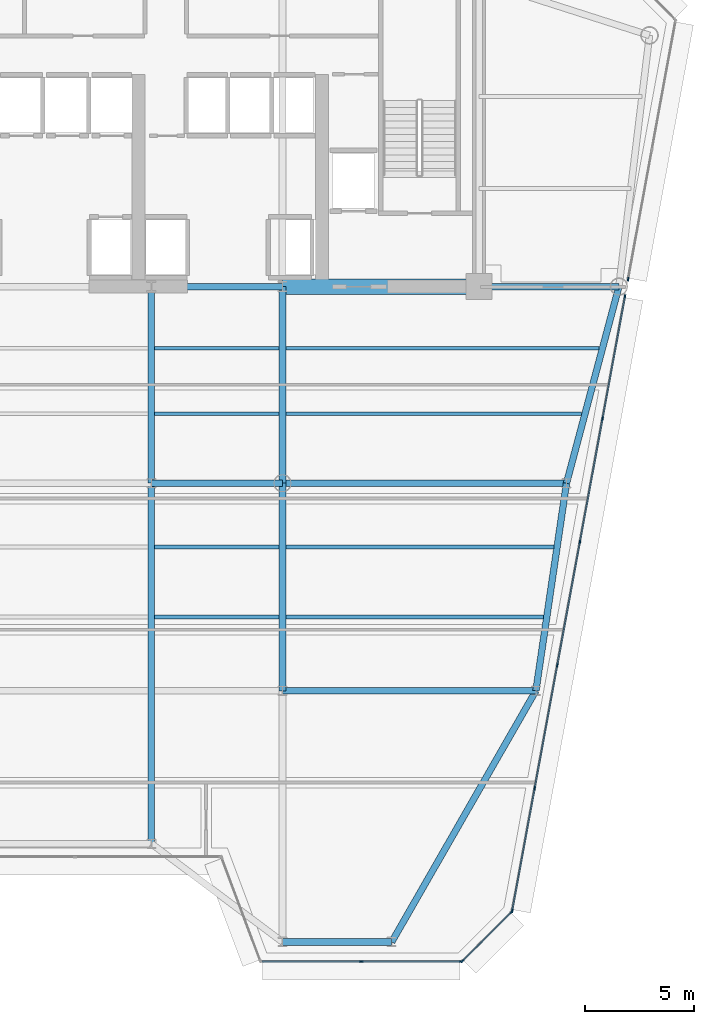
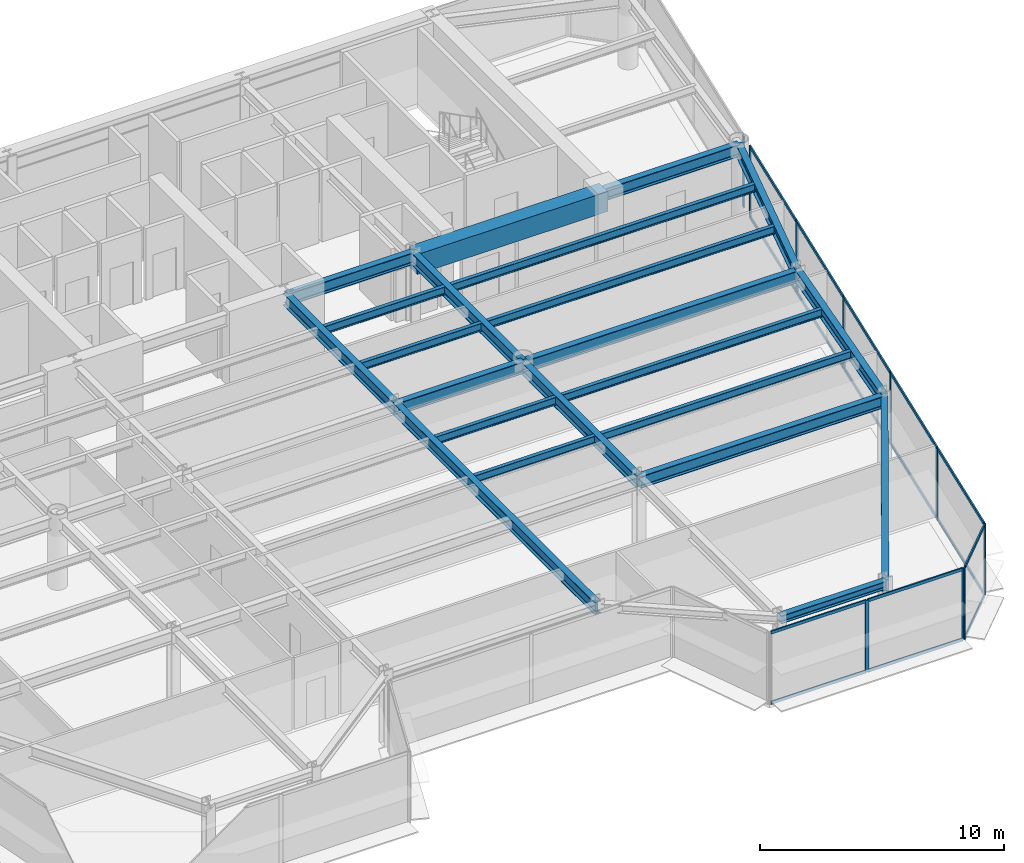
# One storey, part 6 of 16: 27 members, 22 beams, 4 elements without a shape of their own.
"""IFC4 building model written with IfcOpenShell, lengths in metres."""

from ifc_helpers import new_model, si_unit, direction, frame, origin, origin_2d, place, context, subcontext, project, spatial, rectangle, i_section, extrude, source, transform, mapped, material, layer, layer_set, material_profile, profile_set, type_object, element, aggregate, save


model = new_model("IFC4")

# Units and contexts
model_context = context("Model", 3, precision=1e-05, world=origin(), true_north=direction((0.0, 1.0)))
body_context = subcontext(model_context, "Body", "Model", "MODEL_VIEW")
ifc_project = project(units=[si_unit("LENGTHUNIT", "METRE"), si_unit("AREAUNIT", "SQUARE_METRE"), si_unit("VOLUMEUNIT", "CUBIC_METRE"), si_unit("PLANEANGLEUNIT", "RADIAN"), si_unit("MASSUNIT", "GRAM", prefix="KILO")], contexts=[model_context])

# Site, building, storey
site_placement = place(None, origin())
site = spatial("IfcSite", under=ifc_project, at=site_placement, CompositionType="ELEMENT")
building_placement = place(site_placement, origin())
building = spatial("IfcBuilding", under=site, at=building_placement, Name="Vaeldorn Concourse Tower", CompositionType="ELEMENT")
storey_placement = place(building_placement, frame((0.0, 0.0, 195.60009765625)))
storey = spatial("IfcBuildingStorey", under=building, at=storey_placement, Name="L50", CompositionType="ELEMENT", Elevation=195.60009765625)

# Beams
ifc_material_1 = material(Name="Concrete C50/60", Category="concrete")
ifc_material_profile_1 = material_profile(ifc_material_1, rectangle(XDim=0.699951171875, YDim=1.0, at=origin_2d()), Name="RC 700x1000")
ifc_profile_set_1 = profile_set([ifc_material_profile_1], Name="Concrete C50/60")
beam_type_1 = type_object("IfcBeamType", Name="BM-CB-RC700", PredefinedType="BEAM", material=ifc_profile_set_1)
shared_shape_1 = source(origin(), body_context, "Body", "SweptSolid", [
    extrude(rectangle(XDim=0.699951171875, YDim=1.0, at=origin_2d()), origin(), (0.0, 0.0, 1.0), 9.0),
])
beam_1_placement = place(storey_placement, frame((45.0, 36.5, 3.079833984375), z_axis=(1.0, 0.0, 0.0), x_axis=(0.0, 1.0, 0.0)))
element("IfcBeam", 1, at=beam_1_placement, inside=storey, type_object=beam_type_1, Name="Core Coupling Beam L50-2", PredefinedType="BEAM", context=body_context, shape_type="MappedRepresentation", body=[
    mapped(shared_shape_1, transform((0.0, 0.0, 0.0), scale=1.0)),
])
ifc_material_2 = material(Name="Steel S355", Category="steel")
ifc_material_profile_2 = material_profile(ifc_material_2, i_section(OverallWidth=0.300048828125, OverallDepth=0.60009765625, WebThickness=0.015380859375, FlangeThickness=0.030029296875, FilletRadius=0.027099609375, at=origin_2d()), Name="HEB 600")
ifc_profile_set_2 = profile_set([ifc_material_profile_2], Name="Steel S355")
beam_type_2 = type_object("IfcBeamType", Name="BM-PG-HEB600", PredefinedType="BEAM", material=ifc_profile_set_2)
shared_shape_2 = source(origin(), body_context, "Body", "SweptSolid", [
    extrude(i_section(OverallWidth=0.300048828125, OverallDepth=0.60009765625, WebThickness=0.015380859375, FlangeThickness=0.030029296875, FilletRadius=0.027099609375, at=origin_2d()), origin(), (0.0, 0.0, 1.0), 6.0),
])
for number, where, z_axis, x_axis, name in (
    (2, (39.0, 36.5, 3.27978515625), (1.0, 0.0, 0.0), (0.0, 1.0, 0.0), "Beam BM-L50-C-FC4-C-FC5"),
    (3, (39.0, 27.5, 3.27978515625), (1.0, 0.0, 0.0), (0.0, 1.0, 0.0), "Beam BM-L50-C-TW3-C-TW4"),
):
    element("IfcBeam", number, at=place(storey_placement, frame(where, z_axis=z_axis, x_axis=x_axis)), inside=storey, type_object=beam_type_2, Name=name, PredefinedType="BEAM", context=body_context, shape_type="MappedRepresentation", body=[
        mapped(shared_shape_2, transform((0.0, 0.0, 0.0), scale=1.0)),
    ])
shared_shape_3 = source(origin(), body_context, "Body", "SweptSolid", [
    extrude(i_section(OverallWidth=0.300048828125, OverallDepth=0.60009765625, WebThickness=0.015380859375, FlangeThickness=0.030029296875, FilletRadius=0.027099609375, at=origin_2d()), origin(), (0.0, 0.0, 1.0), 9.0),
])
for number, where, z_axis, x_axis, name in (
    (4, (39.0, 27.5, 3.27978515625), (0.0, 1.0, 0.0), (-1.0, 0.0, 0.0), "Beam BM-L50-C-TW3-C-FC4"),
    (5, (45.0, 27.5, 3.27978515625), (0.0, 1.0, 0.0), (-1.0, 0.0, 0.0), "Beam BM-L50-C-TW4-C-FC5"),
):
    element("IfcBeam", number, at=place(storey_placement, frame(where, z_axis=z_axis, x_axis=x_axis)), inside=storey, type_object=beam_type_2, Name=name, PredefinedType="BEAM", context=body_context, shape_type="MappedRepresentation", body=[
        mapped(shared_shape_3, transform((0.0, 0.0, 0.0), scale=1.0)),
    ])
shared_shape_4 = source(origin(), body_context, "Body", "SweptSolid", [
    extrude(i_section(OverallWidth=0.300048828125, OverallDepth=0.60009765625, WebThickness=0.015380859375, FlangeThickness=0.030029296875, FilletRadius=0.027099609375, at=origin_2d()), origin(), (0.0, 0.0, 1.0), 6.39990234375),
])
beam_2_placement = place(storey_placement, frame((54.0, 36.5, 3.27978515625), z_axis=(1.0, 0.0, 0.0), x_axis=(0.0, 1.0, 0.0)))
element("IfcBeam", 6, at=beam_2_placement, inside=storey, type_object=beam_type_2, Name="Beam BM-L50-C-FC6-C-NE2", PredefinedType="BEAM", context=body_context, shape_type="MappedRepresentation", body=[
    mapped(shared_shape_4, transform((0.0, 0.0, 0.0), scale=1.0)),
])
shared_shape_5 = source(origin(), body_context, "Body", "SweptSolid", [
    extrude(i_section(OverallWidth=0.300048828125, OverallDepth=0.60009765625, WebThickness=0.015380859375, FlangeThickness=0.030029296875, FilletRadius=0.027099609375, at=origin_2d()), origin(), (0.0, 0.0, 1.0), 9.314453125),
])
beam_3_placement = place(storey_placement, frame((60.39990234375, 36.5, 3.27978515625), z_axis=(-0.257652862255, -0.966237549763, 0.0), x_axis=(0.966237549763, -0.257652862255, 0.0)))
element("IfcBeam", 7, at=beam_3_placement, inside=storey, type_object=beam_type_2, Name="Beam BM-L50-C-NE2-C-FLE1", PredefinedType="BEAM", context=body_context, shape_type="MappedRepresentation", body=[
    mapped(shared_shape_5, transform((0.0, 0.0, 0.0), scale=1.0)),
])
shared_shape_6 = source(origin(), body_context, "Body", "SweptSolid", [
    extrude(i_section(OverallWidth=0.300048828125, OverallDepth=0.60009765625, WebThickness=0.015380859375, FlangeThickness=0.030029296875, FilletRadius=0.027099609375, at=origin_2d()), origin(), (0.0, 0.0, 1.0), 13.0),
])
beam_4_placement = place(storey_placement, frame((45.0, 27.5, 3.27978515625), z_axis=(1.0, 0.0, 0.0), x_axis=(0.0, 1.0, 0.0)))
element("IfcBeam", 8, at=beam_4_placement, inside=storey, type_object=beam_type_2, Name="Beam BM-L50-C-TW4-C-FLE1", PredefinedType="BEAM", context=body_context, shape_type="MappedRepresentation", body=[
    mapped(shared_shape_6, transform((0.0, 0.0, 0.0), scale=1.0)),
])
shared_shape_7 = source(origin(), body_context, "Body", "SweptSolid", [
    extrude(i_section(OverallWidth=0.300048828125, OverallDepth=0.60009765625, WebThickness=0.015380859375, FlangeThickness=0.030029296875, FilletRadius=0.027099609375, at=origin_2d()), origin(), (0.0, 0.0, 1.0), 9.6025390625),
])
beam_5_placement = place(storey_placement, frame((58.0, 27.5, 3.27978515625), z_axis=(-0.145783835977, -0.989316467652, 0.0), x_axis=(0.989316467652, -0.145783835977, 0.0)))
element("IfcBeam", 9, at=beam_5_placement, inside=storey, type_object=beam_type_2, Name="Beam BM-L50-C-FLE1-C-FLE2", PredefinedType="BEAM", context=body_context, shape_type="MappedRepresentation", body=[
    mapped(shared_shape_7, transform((0.0, 0.0, 0.0), scale=1.0)),
])
shared_shape_8 = source(origin(), body_context, "Body", "SweptSolid", [
    extrude(i_section(OverallWidth=0.300048828125, OverallDepth=0.60009765625, WebThickness=0.015380859375, FlangeThickness=0.030029296875, FilletRadius=0.027099609375, at=origin_2d()), origin(), (0.0, 0.0, 1.0), 11.60009765625),
])
beam_6_placement = place(storey_placement, frame((45.0, 18.0, 3.27978515625), z_axis=(1.0, 0.0, 0.0), x_axis=(0.0, 1.0, 0.0)))
element("IfcBeam", 10, at=beam_6_placement, inside=storey, type_object=beam_type_2, Name="Beam BM-L50-C-TW6-C-FLE2", PredefinedType="BEAM", context=body_context, shape_type="MappedRepresentation", body=[
    mapped(shared_shape_8, transform((0.0, 0.0, 0.0), scale=1.0)),
])
shared_shape_9 = source(origin(), body_context, "Body", "SweptSolid", [
    extrude(i_section(OverallWidth=0.300048828125, OverallDepth=0.60009765625, WebThickness=0.015380859375, FlangeThickness=0.030029296875, FilletRadius=0.027099609375, at=origin_2d()), origin(), (0.0, 0.0, 1.0), 9.5),
])
beam_7_placement = place(storey_placement, frame((45.0, 18.0, 3.27978515625), z_axis=(0.0, 1.0, 0.0), x_axis=(-1.0, 0.0, 0.0)))
element("IfcBeam", 11, at=beam_7_placement, inside=storey, type_object=beam_type_2, Name="Beam BM-L50-C-TW6-C-TW4", PredefinedType="BEAM", context=body_context, shape_type="MappedRepresentation", body=[
    mapped(shared_shape_9, transform((0.0, 0.0, 0.0), scale=1.0)),
])
shared_shape_10 = source(origin(), body_context, "Body", "SweptSolid", [
    extrude(i_section(OverallWidth=0.300048828125, OverallDepth=0.60009765625, WebThickness=0.015380859375, FlangeThickness=0.030029296875, FilletRadius=0.027099609375, at=origin_2d()), origin(), (0.0, 0.0, 1.0), 13.25927734375),
])
beam_8_placement = place(storey_placement, frame((50.0, 6.5, 3.27978515625), z_axis=(0.497768009943, 0.867310214558, 0.0), x_axis=(-0.867310214558, 0.497768009943, 0.0)))
element("IfcBeam", 12, at=beam_8_placement, inside=storey, type_object=beam_type_2, Name="Beam BM-L50-C-SF6-C-FLE2", PredefinedType="BEAM", context=body_context, shape_type="MappedRepresentation", body=[
    mapped(shared_shape_10, transform((0.0, 0.0, 0.0), scale=1.0)),
])
shared_shape_11 = source(origin(), body_context, "Body", "SweptSolid", [
    extrude(i_section(OverallWidth=0.300048828125, OverallDepth=0.60009765625, WebThickness=0.015380859375, FlangeThickness=0.030029296875, FilletRadius=0.027099609375, at=origin_2d()), origin(), (0.0, 0.0, 1.0), 16.5),
])
beam_9_placement = place(storey_placement, frame((39.0, 11.0, 3.27978515625), z_axis=(0.0, 1.0, 0.0), x_axis=(-1.0, 0.0, 0.0)))
element("IfcBeam", 13, at=beam_9_placement, inside=storey, type_object=beam_type_2, Name="Beam BM-L50-C-SF4-C-TW3", PredefinedType="BEAM", context=body_context, shape_type="MappedRepresentation", body=[
    mapped(shared_shape_11, transform((0.0, 0.0, 0.0), scale=1.0)),
])
ifc_material_profile_3 = material_profile(ifc_material_2, i_section(OverallWidth=0.300048828125, OverallDepth=0.39990234375, WebThickness=0.013427734375, FlangeThickness=0.02392578125, FilletRadius=0.027099609375, at=origin_2d()), Name="HEB 400")
ifc_profile_set_3 = profile_set([ifc_material_profile_3], Name="Steel S355")
beam_type_3 = type_object("IfcBeamType", Name="BM-SP-HEB400", PredefinedType="SPANDREL", material=ifc_profile_set_3)
shared_shape_12 = source(origin(), body_context, "Body", "SweptSolid", [
    extrude(i_section(OverallWidth=0.300048828125, OverallDepth=0.39990234375, WebThickness=0.013427734375, FlangeThickness=0.02392578125, FilletRadius=0.027099609375, at=origin_2d()), origin(), (0.0, 0.0, 1.0), 5.0),
])
beam_10_placement = place(storey_placement, frame((45.0, 6.5, 3.3798828125), z_axis=(1.0, 0.0, 0.0), x_axis=(0.0, 1.0, 0.0)))
element("IfcBeam", 14, at=beam_10_placement, inside=storey, type_object=beam_type_3, Name="Beam BM-L50-C-SF5-C-SF6", PredefinedType="SPANDREL", context=body_context, shape_type="MappedRepresentation", body=[
    mapped(shared_shape_12, transform((0.0, 0.0, 0.0), scale=1.0)),
])
ifc_material_profile_4 = material_profile(ifc_material_2, i_section(OverallWidth=0.179931640625, OverallDepth=0.39990234375, WebThickness=0.008544921875, FlangeThickness=0.013427734375, FilletRadius=0.02099609375, at=origin_2d()), Name="IPE 400")
ifc_profile_set_4 = profile_set([ifc_material_profile_4], Name="Steel S355")
beam_type_4 = type_object("IfcBeamType", Name="BM-JS-IPE400", PredefinedType="JOIST", material=ifc_profile_set_4)
shared_shape_13 = source(origin(), body_context, "Body", "SweptSolid", [
    extrude(i_section(OverallWidth=0.179931640625, OverallDepth=0.39990234375, WebThickness=0.008544921875, FlangeThickness=0.013427734375, FilletRadius=0.02099609375, at=origin_2d()), origin(), (0.0, 0.0, 1.0), 11.798095703125),
])
beam_11_placement = place(storey_placement, frame((45.14990234375, 21.3798828125, 3.3798828125), z_axis=(1.0, 0.0, 0.0), x_axis=(0.0, 1.0, 0.0)))
element("IfcBeam", 15, at=beam_11_placement, inside=storey, type_object=beam_type_4, Name="Beam JS-L50-E1-213", PredefinedType="JOIST", context=body_context, shape_type="MappedRepresentation", body=[
    mapped(shared_shape_13, transform((0.0, 0.0, 0.0), scale=1.0)),
])
shared_shape_14 = source(origin(), body_context, "Body", "SweptSolid", [
    extrude(i_section(OverallWidth=0.179931640625, OverallDepth=0.39990234375, WebThickness=0.008544921875, FlangeThickness=0.013427734375, FilletRadius=0.02099609375, at=origin_2d()), origin(), (0.0, 0.0, 1.0), 5.7001953125),
])
for number, where, z_axis, x_axis, name in (
    (16, (39.14990234375, 21.3798828125, 3.3798828125), (1.0, 0.0, 0.0), (0.0, 1.0, 0.0), "Beam JS-L50-E2-213"),
    (17, (39.14990234375, 24.580078125, 3.3798828125), (1.0, 0.0, 0.0), (0.0, 1.0, 0.0), "Beam JS-L50-E2-245"),
    (18, (39.14990234375, 30.679931640625, 3.3798828125), (1.0, 0.0, 0.0), (0.0, 1.0, 0.0), "Beam JS-L50-E2-306"),
    (19, (39.14990234375, 33.679931640625, 3.3798828125), (1.0, 0.0, 0.0), (0.0, 1.0, 0.0), "Beam JS-L50-E2-336"),
):
    element("IfcBeam", number, at=place(storey_placement, frame(where, z_axis=z_axis, x_axis=x_axis)), inside=storey, type_object=beam_type_4, Name=name, PredefinedType="JOIST", context=body_context, shape_type="MappedRepresentation", body=[
        mapped(shared_shape_14, transform((0.0, 0.0, 0.0), scale=1.0)),
    ])
shared_shape_15 = source(origin(), body_context, "Body", "SweptSolid", [
    extrude(i_section(OverallWidth=0.179931640625, OverallDepth=0.39990234375, WebThickness=0.008544921875, FlangeThickness=0.013427734375, FilletRadius=0.02099609375, at=origin_2d()), origin(), (0.0, 0.0, 1.0), 12.269775390625),
])
beam_12_placement = place(storey_placement, frame((45.14990234375, 24.580078125, 3.3798828125), z_axis=(1.0, 0.0, 0.0), x_axis=(0.0, 1.0, 0.0)))
element("IfcBeam", 20, at=beam_12_placement, inside=storey, type_object=beam_type_4, Name="Beam JS-L50-E1-245", PredefinedType="JOIST", context=body_context, shape_type="MappedRepresentation", body=[
    mapped(shared_shape_15, transform((0.0, 0.0, 0.0), scale=1.0)),
])
shared_shape_16 = source(origin(), body_context, "Body", "SweptSolid", [
    extrude(i_section(OverallWidth=0.179931640625, OverallDepth=0.39990234375, WebThickness=0.008544921875, FlangeThickness=0.013427734375, FilletRadius=0.02099609375, at=origin_2d()), origin(), (0.0, 0.0, 1.0), 13.548095703125),
])
beam_13_placement = place(storey_placement, frame((45.14990234375, 30.679931640625, 3.3798828125), z_axis=(1.0, 0.0, 0.0), x_axis=(0.0, 1.0, 0.0)))
element("IfcBeam", 21, at=beam_13_placement, inside=storey, type_object=beam_type_4, Name="Beam JS-L50-E1-306", PredefinedType="JOIST", context=body_context, shape_type="MappedRepresentation", body=[
    mapped(shared_shape_16, transform((0.0, 0.0, 0.0), scale=1.0)),
])
shared_shape_17 = source(origin(), body_context, "Body", "SweptSolid", [
    extrude(i_section(OverallWidth=0.179931640625, OverallDepth=0.39990234375, WebThickness=0.008544921875, FlangeThickness=0.013427734375, FilletRadius=0.02099609375, at=origin_2d()), origin(), (0.0, 0.0, 1.0), 14.34814453125),
])
beam_14_placement = place(storey_placement, frame((45.14990234375, 33.679931640625, 3.3798828125), z_axis=(1.0, 0.0, 0.0), x_axis=(0.0, 1.0, 0.0)))
element("IfcBeam", 22, at=beam_14_placement, inside=storey, type_object=beam_type_4, Name="Beam JS-L50-E1-336", PredefinedType="JOIST", context=body_context, shape_type="MappedRepresentation", body=[
    mapped(shared_shape_17, transform((0.0, 0.0, 0.0), scale=1.0)),
])

# Curtain wall, members
ifc_material_3 = material(Name="Anodised Bronze Aluminium", Category="aluminium")
ifc_layer = layer(ifc_material_3, 0.18994140625)
ifc_layer_set = layer_set([ifc_layer], Name="Anodised Bronze Aluminium")
curtain_wall_type = type_object("IfcCurtainWallType", Name="CW-SYS-03", PredefinedType="NOTDEFINED", material=ifc_layer_set)
curtain_wall_1_placement = place(storey_placement, origin())
curtain_wall_1 = element("IfcCurtainWall", 23, at=curtain_wall_1_placement, inside=storey, type_object=curtain_wall_type, Name="Unitised Curtain Wall CW-L50-E05-1", PredefinedType="NOTDEFINED")
ifc_material_profile_5 = material_profile(ifc_material_3, rectangle(XDim=0.06494140625, YDim=0.169921875, at=origin_2d()), Name="CWM 65x170")
ifc_profile_set_5 = profile_set([ifc_material_profile_5], Name="Anodised Bronze Aluminium")
member_type_1 = type_object("IfcMemberType", Name="CWM-BRONZE-170", PredefinedType="MULLION", material=ifc_profile_set_5)
shared_shape_18 = source(origin(), body_context, "Body", "SweptSolid", [
    extrude(rectangle(XDim=0.06494140625, YDim=0.169921875, at=origin_2d()), origin(), (0.0, 0.0, 1.0), 3.579833984375),
])
member_1_placement = place(storey_placement, frame((48.6044921875, 5.60009765625, 0.0), z_axis=(0.0, 0.0, 1.0), x_axis=(0.0, 1.0, 0.0)))
member_1 = element("IfcMember", 24, at=member_1_placement, type_object=member_type_1, Name="CW-03 mullion 2", PredefinedType="MULLION", context=body_context, shape_type="MappedRepresentation", body=[
    mapped(shared_shape_18, transform((0.0, 0.0, 0.0), scale=1.0)),
])
member_2_placement = place(storey_placement, frame((53.176513671875, 5.60009765625, 0.0), z_axis=(0.0, 0.0, 1.0), x_axis=(0.0, 1.0, 0.0)))
member_2 = element("IfcMember", 25, at=member_2_placement, type_object=member_type_1, Name="CW-03 mullion 3", PredefinedType="MULLION", context=body_context, shape_type="MappedRepresentation", body=[
    mapped(shared_shape_18, transform((0.0, 0.0, 0.0), scale=1.0)),
])

curtain_wall_2_placement = place(storey_placement, origin())
curtain_wall_2 = element("IfcCurtainWall", 26, at=curtain_wall_2_placement, inside=storey, type_object=curtain_wall_type, Name="Unitised Curtain Wall CW-L50-E06-1", PredefinedType="NOTDEFINED")
member_3_placement = place(storey_placement, frame((53.23193359375, 5.623046875, 0.0), z_axis=(0.0, 0.0, 1.0), x_axis=(-0.707106781187, 0.707106781187, 0.0)))
member_3 = element("IfcMember", 27, at=member_3_placement, type_object=member_type_1, Name="CW-03 mullion 1", PredefinedType="MULLION", context=body_context, shape_type="MappedRepresentation", body=[
    mapped(shared_shape_18, transform((0.0, 0.0, 0.0), scale=1.0)),
])
member_4_placement = place(storey_placement, frame((55.486083984375, 7.876953125, 0.0), z_axis=(0.0, 0.0, 1.0), x_axis=(-0.707106781187, 0.707106781187, 0.0)))
member_4 = element("IfcMember", 28, at=member_4_placement, type_object=member_type_1, Name="CW-03 mullion 2", PredefinedType="MULLION", context=body_context, shape_type="MappedRepresentation", body=[
    mapped(shared_shape_18, transform((0.0, 0.0, 0.0), scale=1.0)),
])

curtain_wall_3_placement = place(storey_placement, origin())
curtain_wall_3 = element("IfcCurtainWall", 29, at=curtain_wall_3_placement, inside=storey, type_object=curtain_wall_type, Name="Unitised Curtain Wall CW-L50-E07-1", PredefinedType="NOTDEFINED")
member_5_placement = place(storey_placement, frame((55.514892578125, 7.931884765625, 0.0), z_axis=(0.0, 0.0, 1.0), x_axis=(-0.983559325018, 0.180585309951, 0.0)))
member_5 = element("IfcMember", 30, at=member_5_placement, type_object=member_type_1, Name="CW-03 mullion 1", PredefinedType="MULLION", context=body_context, shape_type="MappedRepresentation", body=[
    mapped(shared_shape_18, transform((0.0, 0.0, 0.0), scale=1.0)),
])
member_6_placement = place(storey_placement, frame((56.5439453125, 13.53662109375, 0.0), z_axis=(0.0, 0.0, 1.0), x_axis=(-0.983559325018, 0.180585309951, 0.0)))
member_6 = element("IfcMember", 31, at=member_6_placement, type_object=member_type_1, Name="CW-03 mullion 2", PredefinedType="MULLION", context=body_context, shape_type="MappedRepresentation", body=[
    mapped(shared_shape_18, transform((0.0, 0.0, 0.0), scale=1.0)),
])
member_7_placement = place(storey_placement, frame((57.578857421875, 19.17333984375, 0.0), z_axis=(0.0, 0.0, 1.0), x_axis=(-0.983559325018, 0.180585309951, 0.0)))
member_7 = element("IfcMember", 32, at=member_7_placement, type_object=member_type_1, Name="CW-03 mullion 3", PredefinedType="MULLION", context=body_context, shape_type="MappedRepresentation", body=[
    mapped(shared_shape_18, transform((0.0, 0.0, 0.0), scale=1.0)),
])
member_8_placement = place(storey_placement, frame((58.61376953125, 24.81005859375, 0.0), z_axis=(0.0, 0.0, 1.0), x_axis=(-0.983559325018, 0.180585309951, 0.0)))
member_8 = element("IfcMember", 33, at=member_8_placement, type_object=member_type_1, Name="CW-03 mullion 4", PredefinedType="MULLION", context=body_context, shape_type="MappedRepresentation", body=[
    mapped(shared_shape_18, transform((0.0, 0.0, 0.0), scale=1.0)),
])
member_9_placement = place(storey_placement, frame((59.648681640625, 30.44677734375, 0.0), z_axis=(0.0, 0.0, 1.0), x_axis=(-0.983559325018, 0.180585309951, 0.0)))
member_9 = element("IfcMember", 34, at=member_9_placement, type_object=member_type_1, Name="CW-03 mullion 5", PredefinedType="MULLION", context=body_context, shape_type="MappedRepresentation", body=[
    mapped(shared_shape_18, transform((0.0, 0.0, 0.0), scale=1.0)),
])
member_10_placement = place(storey_placement, frame((60.677734375, 36.051513671875, 0.0), z_axis=(0.0, 0.0, 1.0), x_axis=(-0.983559325018, 0.180585309951, 0.0)))
member_10 = element("IfcMember", 35, at=member_10_placement, type_object=member_type_1, Name="CW-03 mullion 6", PredefinedType="MULLION", context=body_context, shape_type="MappedRepresentation", body=[
    mapped(shared_shape_18, transform((0.0, 0.0, 0.0), scale=1.0)),
])

# Curtain wall, member
curtain_wall_4_placement = place(storey_placement, origin())
curtain_wall_4 = element("IfcCurtainWall", 36, at=curtain_wall_4_placement, inside=storey, type_object=curtain_wall_type, Name="Unitised Curtain Wall CW-L50-E07-2", PredefinedType="NOTDEFINED")
member_11_placement = place(storey_placement, frame((60.822265625, 36.83935546875, 0.0), z_axis=(0.0, 0.0, 1.0), x_axis=(-0.983559459619, 0.180584576845, 0.0)))
member_11 = element("IfcMember", 37, at=member_11_placement, type_object=member_type_1, Name="CW-03 mullion 1", PredefinedType="MULLION", context=body_context, shape_type="MappedRepresentation", body=[
    mapped(shared_shape_18, transform((0.0, 0.0, 0.0), scale=1.0)),
])
aggregate(curtain_wall_4, [member_11])

# Member
ifc_material_profile_6 = material_profile(ifc_material_3, rectangle(XDim=0.06494140625, YDim=0.14990234375, at=origin_2d()), Name="CWT 65x150")
ifc_profile_set_6 = profile_set([ifc_material_profile_6], Name="Anodised Bronze Aluminium")
member_type_2 = type_object("IfcMemberType", Name="CWT-BRONZE-150", PredefinedType="USERDEFINED", material=ifc_profile_set_6)
shared_shape_19 = source(origin(), body_context, "Body", "SweptSolid", [
    extrude(rectangle(XDim=0.06494140625, YDim=0.14990234375, at=origin_2d()), origin(), (0.0, 0.0, 1.0), 3.122802734375),
])
member_12_placement = place(storey_placement, frame((53.2548828125, 5.64599609375, 0.032470703125), z_axis=(0.707145870536, 0.707067689676, 0.0), x_axis=(-0.707067689676, 0.707145870536, 0.0)))
member_12 = element("IfcMember", 38, at=member_12_placement, type_object=member_type_2, Name="CW-03 transom 1.1", ObjectType="TRANSOM", PredefinedType="USERDEFINED", context=body_context, shape_type="MappedRepresentation", body=[
    mapped(shared_shape_19, transform((0.0, 0.0, 0.0), scale=1.0)),
])

member_13_placement = place(storey_placement, frame((53.2548828125, 5.64599609375, 3.54736328125), z_axis=(0.707145870536, 0.707067689676, 0.0), x_axis=(-0.707067689676, 0.707145870536, 0.0)))
member_13 = element("IfcMember", 39, at=member_13_placement, type_object=member_type_2, Name="CW-03 transom 1.2", ObjectType="TRANSOM", PredefinedType="USERDEFINED", context=body_context, shape_type="MappedRepresentation", body=[
    mapped(shared_shape_19, transform((0.0, 0.0, 0.0), scale=1.0)),
])

aggregate(curtain_wall_2, [member_3, member_4, member_12, member_13])

shared_shape_20 = source(origin(), body_context, "Body", "SweptSolid", [
    extrude(rectangle(XDim=0.06494140625, YDim=0.14990234375, at=origin_2d()), origin(), (0.0, 0.0, 1.0), 5.63330078125),
])
member_14_placement = place(storey_placement, frame((55.520751953125, 7.9638671875, 0.032470703125), z_axis=(0.180589917692, 0.983558479008, 0.0), x_axis=(-0.983558479008, 0.180589917692, 0.0)))
member_14 = element("IfcMember", 40, at=member_14_placement, type_object=member_type_2, Name="CW-03 transom 1.1", ObjectType="TRANSOM", PredefinedType="USERDEFINED", context=body_context, shape_type="MappedRepresentation", body=[
    mapped(shared_shape_20, transform((0.0, 0.0, 0.0), scale=1.0)),
])

member_15_placement = place(storey_placement, frame((55.520751953125, 7.9638671875, 3.54736328125), z_axis=(0.180589917692, 0.983558479008, 0.0), x_axis=(-0.983558479008, 0.180589917692, 0.0)))
member_15 = element("IfcMember", 41, at=member_15_placement, type_object=member_type_2, Name="CW-03 transom 1.2", ObjectType="TRANSOM", PredefinedType="USERDEFINED", context=body_context, shape_type="MappedRepresentation", body=[
    mapped(shared_shape_20, transform((0.0, 0.0, 0.0), scale=1.0)),
])

member_16_placement = place(storey_placement, frame((59.654541015625, 30.478759765625, 0.032470703125), z_axis=(0.180589917692, 0.983558479008, 0.0), x_axis=(-0.983558479008, 0.180589917692, 0.0)))
member_16 = element("IfcMember", 42, at=member_16_placement, type_object=member_type_2, Name="CW-03 transom 5.1", ObjectType="TRANSOM", PredefinedType="USERDEFINED", context=body_context, shape_type="MappedRepresentation", body=[
    mapped(shared_shape_20, transform((0.0, 0.0, 0.0), scale=1.0)),
])

member_17_placement = place(storey_placement, frame((59.654541015625, 30.478759765625, 3.54736328125), z_axis=(0.180589917692, 0.983558479008, 0.0), x_axis=(-0.983558479008, 0.180589917692, 0.0)))
member_17 = element("IfcMember", 43, at=member_17_placement, type_object=member_type_2, Name="CW-03 transom 5.2", ObjectType="TRANSOM", PredefinedType="USERDEFINED", context=body_context, shape_type="MappedRepresentation", body=[
    mapped(shared_shape_20, transform((0.0, 0.0, 0.0), scale=1.0)),
])

shared_shape_21 = source(origin(), body_context, "Body", "SweptSolid", [
    extrude(rectangle(XDim=0.06494140625, YDim=0.14990234375, at=origin_2d()), origin(), (0.0, 0.0, 1.0), 5.666015625),
])
member_18_placement = place(storey_placement, frame((56.5498046875, 13.568603515625, 0.032470703125), z_axis=(0.180587719149, 0.983558882677, 0.0), x_axis=(-0.983558882677, 0.180587719149, 0.0)))
member_18 = element("IfcMember", 44, at=member_18_placement, type_object=member_type_2, Name="CW-03 transom 2.1", ObjectType="TRANSOM", PredefinedType="USERDEFINED", context=body_context, shape_type="MappedRepresentation", body=[
    mapped(shared_shape_21, transform((0.0, 0.0, 0.0), scale=1.0)),
])

member_19_placement = place(storey_placement, frame((56.5498046875, 13.568603515625, 3.54736328125), z_axis=(0.180587719149, 0.983558882677, 0.0), x_axis=(-0.983558882677, 0.180587719149, 0.0)))
member_19 = element("IfcMember", 45, at=member_19_placement, type_object=member_type_2, Name="CW-03 transom 2.2", ObjectType="TRANSOM", PredefinedType="USERDEFINED", context=body_context, shape_type="MappedRepresentation", body=[
    mapped(shared_shape_21, transform((0.0, 0.0, 0.0), scale=1.0)),
])

member_20_placement = place(storey_placement, frame((57.584716796875, 19.205322265625, 0.032470703125), z_axis=(0.180587719149, 0.983558882677, 0.0), x_axis=(-0.983558882677, 0.180587719149, 0.0)))
member_20 = element("IfcMember", 46, at=member_20_placement, type_object=member_type_2, Name="CW-03 transom 3.1", ObjectType="TRANSOM", PredefinedType="USERDEFINED", context=body_context, shape_type="MappedRepresentation", body=[
    mapped(shared_shape_21, transform((0.0, 0.0, 0.0), scale=1.0)),
])

member_21_placement = place(storey_placement, frame((57.584716796875, 19.205322265625, 3.54736328125), z_axis=(0.180587719149, 0.983558882677, 0.0), x_axis=(-0.983558882677, 0.180587719149, 0.0)))
member_21 = element("IfcMember", 47, at=member_21_placement, type_object=member_type_2, Name="CW-03 transom 3.2", ObjectType="TRANSOM", PredefinedType="USERDEFINED", context=body_context, shape_type="MappedRepresentation", body=[
    mapped(shared_shape_21, transform((0.0, 0.0, 0.0), scale=1.0)),
])

member_22_placement = place(storey_placement, frame((58.61962890625, 24.842041015625, 0.032470703125), z_axis=(0.180587719149, 0.983558882677, 0.0), x_axis=(-0.983558882677, 0.180587719149, 0.0)))
member_22 = element("IfcMember", 48, at=member_22_placement, type_object=member_type_2, Name="CW-03 transom 4.1", ObjectType="TRANSOM", PredefinedType="USERDEFINED", context=body_context, shape_type="MappedRepresentation", body=[
    mapped(shared_shape_21, transform((0.0, 0.0, 0.0), scale=1.0)),
])

member_23_placement = place(storey_placement, frame((58.61962890625, 24.842041015625, 3.54736328125), z_axis=(0.180587719149, 0.983558882677, 0.0), x_axis=(-0.983558882677, 0.180587719149, 0.0)))
member_23 = element("IfcMember", 49, at=member_23_placement, type_object=member_type_2, Name="CW-03 transom 4.2", ObjectType="TRANSOM", PredefinedType="USERDEFINED", context=body_context, shape_type="MappedRepresentation", body=[
    mapped(shared_shape_21, transform((0.0, 0.0, 0.0), scale=1.0)),
])

aggregate(curtain_wall_3, [member_5, member_6, member_7, member_8, member_9, member_10, member_14, member_15, member_18, member_19, member_20, member_21, member_22, member_23, member_16, member_17])

shared_shape_22 = source(origin(), body_context, "Body", "SweptSolid", [
    extrude(rectangle(XDim=0.06494140625, YDim=0.14990234375, at=origin_2d()), origin(), (0.0, 0.0, 1.0), 4.507080078125),
])
member_24_placement = place(storey_placement, frame((44.06494140625, 5.60009765625, 0.032470703125), z_axis=(1.0, 0.0, 0.0), x_axis=(0.0, 1.0, 0.0)))
member_24 = element("IfcMember", 50, at=member_24_placement, type_object=member_type_2, Name="CW-03 transom 1.1", ObjectType="TRANSOM", PredefinedType="USERDEFINED", context=body_context, shape_type="MappedRepresentation", body=[
    mapped(shared_shape_22, transform((0.0, 0.0, 0.0), scale=1.0)),
])

member_25_placement = place(storey_placement, frame((44.06494140625, 5.60009765625, 3.54736328125), z_axis=(1.0, 0.0, 0.0), x_axis=(0.0, 1.0, 0.0)))
member_25 = element("IfcMember", 51, at=member_25_placement, type_object=member_type_2, Name="CW-03 transom 1.2", ObjectType="TRANSOM", PredefinedType="USERDEFINED", context=body_context, shape_type="MappedRepresentation", body=[
    mapped(shared_shape_22, transform((0.0, 0.0, 0.0), scale=1.0)),
])

member_26_placement = place(storey_placement, frame((48.636962890625, 5.60009765625, 0.032470703125), z_axis=(1.0, 0.0, 0.0), x_axis=(0.0, 1.0, 0.0)))
member_26 = element("IfcMember", 52, at=member_26_placement, type_object=member_type_2, Name="CW-03 transom 2.1", ObjectType="TRANSOM", PredefinedType="USERDEFINED", context=body_context, shape_type="MappedRepresentation", body=[
    mapped(shared_shape_22, transform((0.0, 0.0, 0.0), scale=1.0)),
])

member_27_placement = place(storey_placement, frame((48.636962890625, 5.60009765625, 3.54736328125), z_axis=(1.0, 0.0, 0.0), x_axis=(0.0, 1.0, 0.0)))
member_27 = element("IfcMember", 53, at=member_27_placement, type_object=member_type_2, Name="CW-03 transom 2.2", ObjectType="TRANSOM", PredefinedType="USERDEFINED", context=body_context, shape_type="MappedRepresentation", body=[
    mapped(shared_shape_22, transform((0.0, 0.0, 0.0), scale=1.0)),
])

aggregate(curtain_wall_1, [member_1, member_2, member_24, member_25, member_26, member_27])

save(model, "model.ifc")
